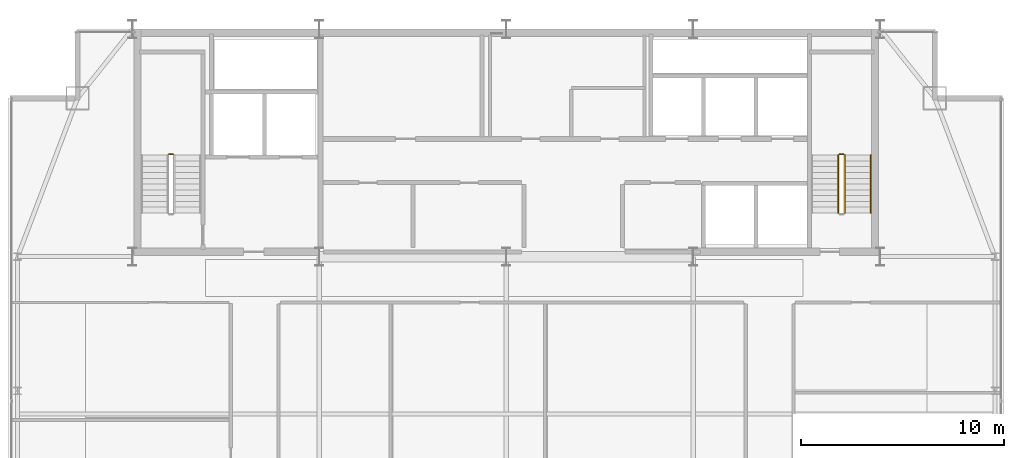
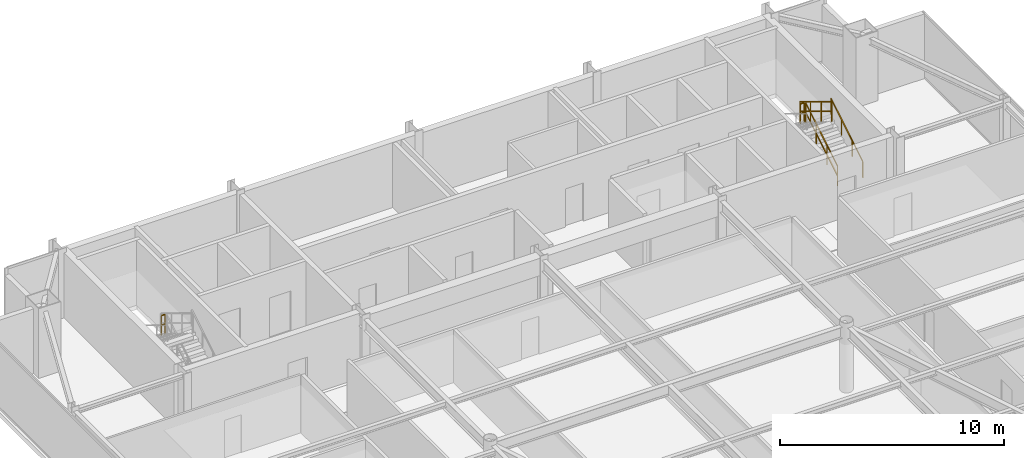
# One storey, part 30 of 30: 5 railings.
"""IFC4 building model written with IfcOpenShell, lengths in metres."""

from ifc_helpers import new_model, si_unit, direction, frame, origin, origin_2d, place, context, subcontext, project, spatial, rectangle, extrude, material, type_object, element, save


model = new_model("IFC4")

# Units and contexts
model_context = context("Model", 3, precision=1e-05, world=origin(), true_north=direction((0.0, 1.0)))
body_context = subcontext(model_context, "Body", "Model", "MODEL_VIEW")
ifc_project = project(units=[si_unit("LENGTHUNIT", "METRE"), si_unit("AREAUNIT", "SQUARE_METRE"), si_unit("VOLUMEUNIT", "CUBIC_METRE"), si_unit("PLANEANGLEUNIT", "RADIAN"), si_unit("MASSUNIT", "GRAM", prefix="KILO")], contexts=[model_context])

# Site, building, storey
site_placement = place(None, origin())
site = spatial("IfcSite", under=ifc_project, at=site_placement, CompositionType="ELEMENT")
building_placement = place(site_placement, origin())
building = spatial("IfcBuilding", under=site, at=building_placement, Name="Varnel Quay Broadcast Tower", CompositionType="ELEMENT")
storey_placement = place(building_placement, frame((0.0, 0.0, 207.39990234375)))
storey = spatial("IfcBuildingStorey", under=building, at=storey_placement, Name="L51", CompositionType="ELEMENT", Elevation=207.39990234375)

# Railings
ifc_material = material(Name="Painted Steel Guard and Handrail CSA G40.21 350W", Category="steel")
railing_type_1 = type_object("IfcRailingType", Name="Rail_StairGuard1100", PredefinedType="GUARDRAIL", material=ifc_material)
railing_1_placement = place(storey_placement, frame((17.60009765625, 40.64990234375, 1.900146484375)))
element("IfcRailing", 1, at=railing_1_placement, inside=storey, type_object=railing_type_1, Name="L51 ST-01 stair guard 2", PredefinedType="GUARDRAIL", context=body_context, shape_type="SweptSolid", body=[
    extrude(rectangle(XDim=0.048095703125, YDim=0.048095703125, at=origin_2d()), frame((0.0, 0.0, 1.076171875), z_axis=(-1.0, 0.0, 0.0), x_axis=(0.0, -1.0, 0.0)), (0.0, 0.0, 1.0), 0.2001953125),
    extrude(rectangle(XDim=0.048095703125, YDim=0.048095703125, at=origin_2d()), frame((0.0, 0.0, 0.550048828125), z_axis=(-1.0, 0.0, 0.0), x_axis=(0.0, -1.0, 0.0)), (0.0, 0.0, 1.0), 0.2001953125),
    extrude(rectangle(XDim=0.0419921875, YDim=0.0419921875, at=origin_2d()), origin(), (0.0, 0.0, 1.0), 1.052001953125),
    extrude(rectangle(XDim=0.0419921875, YDim=0.0419921875, at=origin_2d()), frame((-0.2001953125, 0.0, 0.0)), (0.0, 0.0, 1.0), 1.052001953125),
])
railing_2_placement = place(storey_placement, frame((50.64990234375, 37.75, 0.1728515625)))
element("IfcRailing", 2, at=railing_2_placement, inside=storey, type_object=railing_type_1, Name="L51 ST-02 stair guard 1", PredefinedType="GUARDRAIL", context=body_context, shape_type="SweptSolid", body=[
    extrude(rectangle(XDim=0.048095703125, YDim=0.048095703125, at=origin_2d()), frame((0.0, 0.0, 1.076171875), z_axis=(0.0, 0.855202751398, 0.518293598264), x_axis=(-1.0, 0.0, 0.0)), (0.0, 0.0, 1.0), 3.332763671875),
    extrude(rectangle(XDim=0.048095703125, YDim=0.048095703125, at=origin_2d()), frame((0.0, 0.0, 0.550048828125), z_axis=(0.0, 0.855202751398, 0.518293598264), x_axis=(-1.0, 0.0, 0.0)), (0.0, 0.0, 1.0), 3.332763671875),
    extrude(rectangle(XDim=0.0419921875, YDim=0.0419921875, at=origin_2d()), origin(), (0.0, 0.0, 1.0), 1.052001953125),
    extrude(rectangle(XDim=0.0419921875, YDim=0.0419921875, at=origin_2d()), frame((0.0, 0.949951171875, 0.57568359375)), (0.0, 0.0, 1.0), 1.052001953125),
    extrude(rectangle(XDim=0.0419921875, YDim=0.0419921875, at=origin_2d()), frame((0.0, 1.900146484375, 1.151611328125)), (0.0, 0.0, 1.0), 1.052001953125),
    extrude(rectangle(XDim=0.0419921875, YDim=0.0419921875, at=origin_2d()), frame((0.0, 2.85009765625, 1.727294921875)), (0.0, 0.0, 1.0), 1.052001953125),
])
railing_3_placement = place(storey_placement, frame((50.60009765625, 40.64990234375, 1.900146484375)))
element("IfcRailing", 3, at=railing_3_placement, inside=storey, type_object=railing_type_1, Name="L51 ST-02 stair guard 2", PredefinedType="GUARDRAIL", context=body_context, shape_type="SweptSolid", body=[
    extrude(rectangle(XDim=0.048095703125, YDim=0.048095703125, at=origin_2d()), frame((0.0, 0.0, 1.076171875), z_axis=(-1.0, 0.0, 0.0), x_axis=(0.0, -1.0, 0.0)), (0.0, 0.0, 1.0), 0.2001953125),
    extrude(rectangle(XDim=0.048095703125, YDim=0.048095703125, at=origin_2d()), frame((0.0, 0.0, 0.550048828125), z_axis=(-1.0, 0.0, 0.0), x_axis=(0.0, -1.0, 0.0)), (0.0, 0.0, 1.0), 0.2001953125),
    extrude(rectangle(XDim=0.0419921875, YDim=0.0419921875, at=origin_2d()), origin(), (0.0, 0.0, 1.0), 1.052001953125),
    extrude(rectangle(XDim=0.0419921875, YDim=0.0419921875, at=origin_2d()), frame((-0.2001953125, 0.0, 0.0)), (0.0, 0.0, 1.0), 1.052001953125),
])
railing_4_placement = place(storey_placement, frame((50.35009765625, 40.60009765625, 2.07275390625)))
element("IfcRailing", 4, at=railing_4_placement, inside=storey, type_object=railing_type_1, Name="L51 ST-02 stair guard 3", PredefinedType="GUARDRAIL", context=body_context, shape_type="SweptSolid", body=[
    extrude(rectangle(XDim=0.048095703125, YDim=0.048095703125, at=origin_2d()), frame((0.0, 0.0, 1.076171875), z_axis=(0.0, -0.855202751398, 0.518293598264), x_axis=(1.0, 0.0, 0.0)), (0.0, 0.0, 1.0), 3.332763671875),
    extrude(rectangle(XDim=0.048095703125, YDim=0.048095703125, at=origin_2d()), frame((0.0, 0.0, 0.550048828125), z_axis=(0.0, -0.855202751398, 0.518293598264), x_axis=(1.0, 0.0, 0.0)), (0.0, 0.0, 1.0), 3.332763671875),
    extrude(rectangle(XDim=0.0419921875, YDim=0.0419921875, at=origin_2d()), origin(), (0.0, 0.0, 1.0), 1.052001953125),
    extrude(rectangle(XDim=0.0419921875, YDim=0.0419921875, at=origin_2d()), frame((0.0, -0.949951171875, 0.57568359375)), (0.0, 0.0, 1.0), 1.052001953125),
    extrude(rectangle(XDim=0.0419921875, YDim=0.0419921875, at=origin_2d()), frame((0.0, -1.900146484375, 1.151611328125)), (0.0, 0.0, 1.0), 1.052001953125),
    extrude(rectangle(XDim=0.0419921875, YDim=0.0419921875, at=origin_2d()), frame((0.0, -2.85009765625, 1.727294921875)), (0.0, 0.0, 1.0), 1.052001953125),
])
railing_type_2 = type_object("IfcRailingType", Name="Rail_StairHandrail900", PredefinedType="HANDRAIL", material=ifc_material)
railing_5_placement = place(storey_placement, frame((51.949951171875, 37.75, 0.1728515625)))
element("IfcRailing", 5, at=railing_5_placement, inside=storey, type_object=railing_type_2, Name="L51 ST-02 stair handrail 1", PredefinedType="HANDRAIL", context=body_context, shape_type="SweptSolid", body=[
    extrude(rectangle(XDim=0.048095703125, YDim=0.048095703125, at=origin_2d()), frame((0.0, 0.0, 0.8759765625), z_axis=(0.0, 0.855202751398, 0.518293598264), x_axis=(-1.0, 0.0, 0.0)), (0.0, 0.0, 1.0), 3.332763671875),
    extrude(rectangle(XDim=0.0419921875, YDim=0.0419921875, at=origin_2d()), origin(), (0.0, 0.0, 1.0), 0.851806640625),
    extrude(rectangle(XDim=0.0419921875, YDim=0.0419921875, at=origin_2d()), frame((0.0, 0.949951171875, 0.57568359375)), (0.0, 0.0, 1.0), 0.851806640625),
    extrude(rectangle(XDim=0.0419921875, YDim=0.0419921875, at=origin_2d()), frame((0.0, 1.900146484375, 1.151611328125)), (0.0, 0.0, 1.0), 0.851806640625),
    extrude(rectangle(XDim=0.0419921875, YDim=0.0419921875, at=origin_2d()), frame((0.0, 2.85009765625, 1.727294921875)), (0.0, 0.0, 1.0), 0.851806640625),
])

save(model, "model.ifc")
